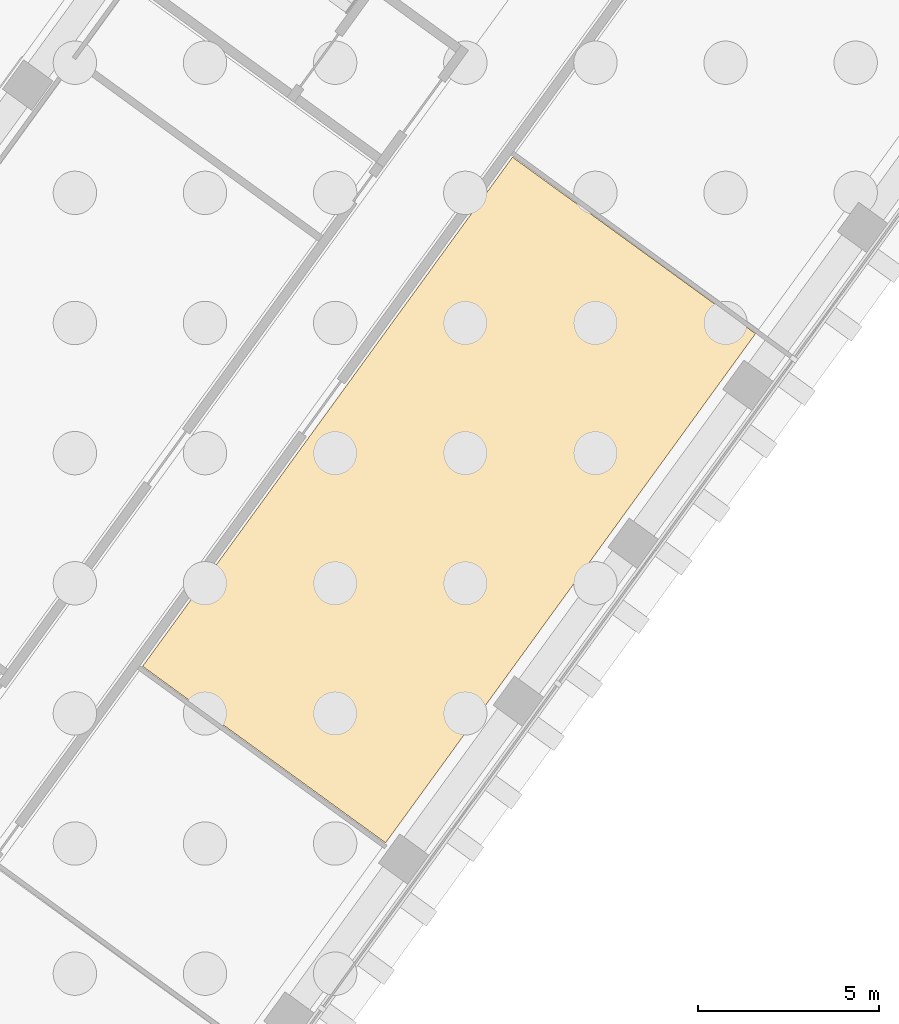
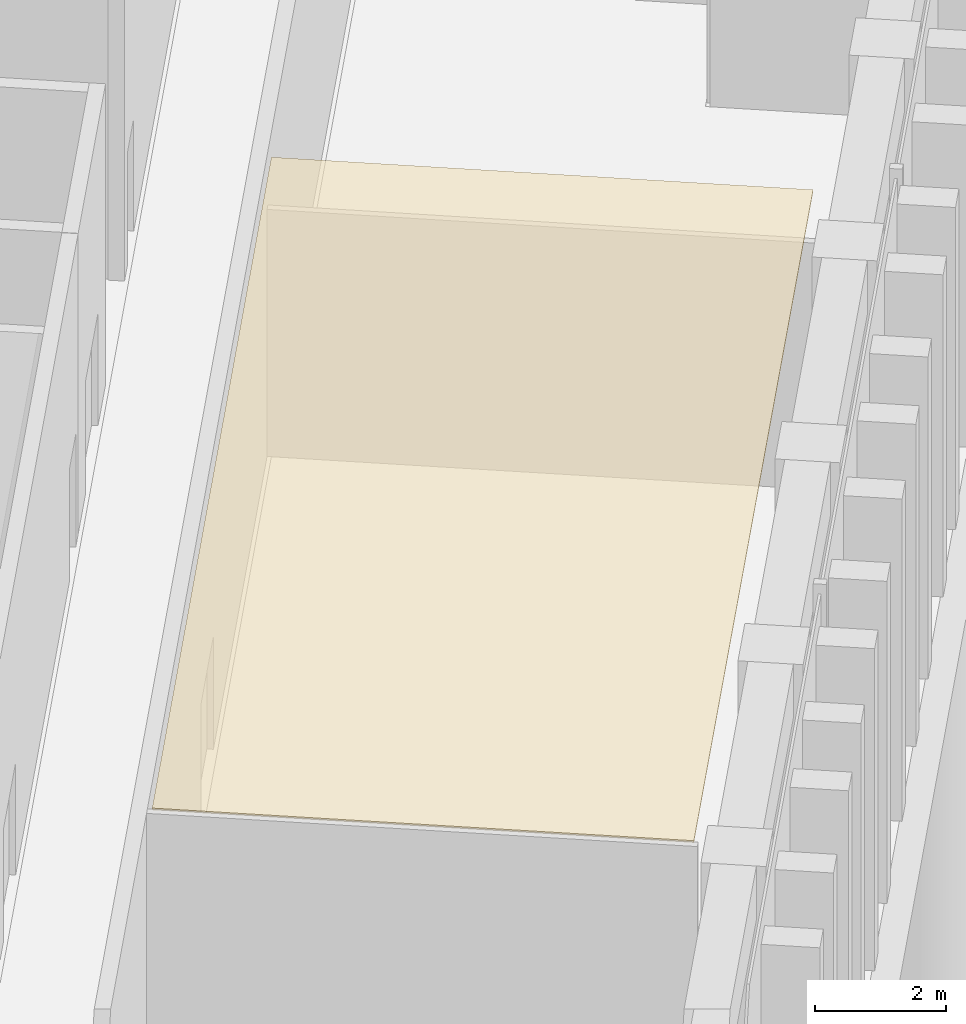
# One storey, part 28 of 32: 1 covering.
"""IFC4 building model written with IfcOpenShell, lengths in metres."""

from ifc_helpers import new_model, si_unit, direction, frame, origin, place, context, subcontext, project, spatial, polyline, outline, extrude, material, layer, layer_set, type_object, element, save


model = new_model("IFC4")

# Units and contexts
model_context = context("Model", 3, precision=1e-05, world=origin(), true_north=direction((0.0, 1.0)))
body_context = subcontext(model_context, "Body", "Model", "MODEL_VIEW")
ifc_project = project(units=[si_unit("LENGTHUNIT", "METRE"), si_unit("AREAUNIT", "SQUARE_METRE"), si_unit("VOLUMEUNIT", "CUBIC_METRE"), si_unit("PLANEANGLEUNIT", "RADIAN"), si_unit("MASSUNIT", "GRAM", prefix="KILO")], contexts=[model_context])

# Site, building, storey
site_placement = place(None, origin())
site = spatial("IfcSite", under=ifc_project, at=site_placement, CompositionType="ELEMENT")
building_placement = place(site_placement, origin())
building = spatial("IfcBuilding", under=site, at=building_placement, Name="Quipu Civic Tower", CompositionType="ELEMENT")
storey_placement = place(building_placement, origin())
storey = spatial("IfcBuildingStorey", under=building, at=storey_placement, Name="L00", CompositionType="ELEMENT", Elevation=0.0)

# Covering
ifc_material = material(Name="Mineral fibre acoustic ceiling tile")
ifc_layer = layer(ifc_material, 0.0400390625)
ifc_layer_set = layer_set([ifc_layer], Name="Mineral fibre acoustic ceiling tile")
covering_type = type_object("IfcCoveringType", Name="Acoustic ceiling tile 600 x 600", PredefinedType="CEILING", material=ifc_layer_set)
covering_placement = place(storey_placement, frame((0.0, 0.0, 5.56005859375)))
element("IfcCovering", 1, at=covering_placement, inside=storey, type_object=covering_type, Name="Acoustic ceiling tile 600 x 600", PredefinedType="CEILING", context=body_context, shape_type="SweptSolid", body=[
    extrude(outline(polyline([(30.673095703125, 12.10302734375), (40.905029296875, 26.18798828125), (47.62890625, 21.304931640625), (37.39599609375, 7.218994140625), (30.673095703125, 12.10302734375)])), origin(), (0.0, 0.0, 1.0), 0.0400390625),
])

save(model, "model.ifc")
